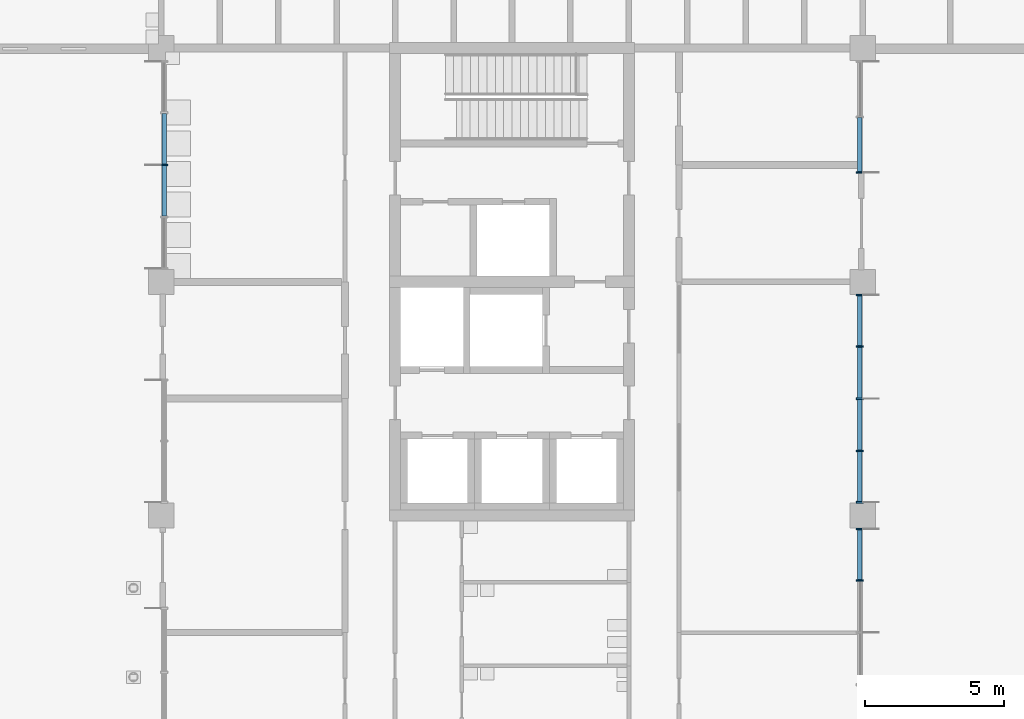
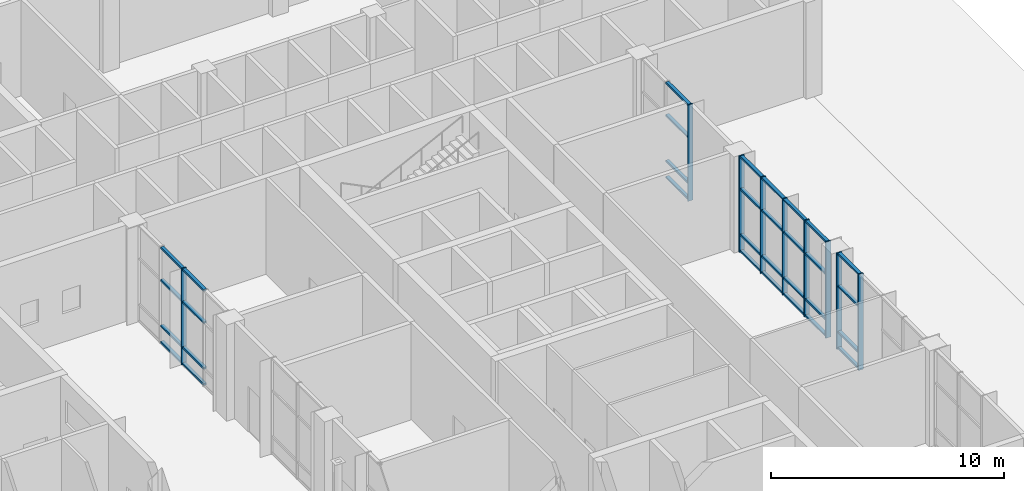
# One storey, part 20 of 76: 41 members, 4 elements without a shape of their own.
"""IFC4 building model written with IfcOpenShell, lengths in metres."""

from ifc_helpers import new_model, si_unit, direction, frame, origin, origin_2d, place, context, subcontext, project, spatial, rectangle, extrude, material, material_profile, profile_set, type_object, element, aggregate, save


model = new_model("IFC4")

# Units and contexts
model_context = context("Model", 3, precision=1e-05, world=origin(), true_north=direction((0.0, 1.0)))
body_context = subcontext(model_context, "Body", "Model", "MODEL_VIEW")
ifc_project = project(units=[si_unit("LENGTHUNIT", "METRE"), si_unit("AREAUNIT", "SQUARE_METRE"), si_unit("VOLUMEUNIT", "CUBIC_METRE"), si_unit("PLANEANGLEUNIT", "RADIAN"), si_unit("MASSUNIT", "GRAM", prefix="KILO")], contexts=[model_context])

# Site, building, storey
site_placement = place(None, origin())
site = spatial("IfcSite", under=ifc_project, at=site_placement, CompositionType="ELEMENT")
building_placement = place(site_placement, origin())
building = spatial("IfcBuilding", under=site, at=building_placement, Name="Hlaing Beacon Police Headquarters", CompositionType="ELEMENT")
storey_placement = place(building_placement, origin())
storey = spatial("IfcBuildingStorey", under=building, at=storey_placement, Name="L00", CompositionType="ELEMENT", Elevation=0.0)

# Curtain wall, members
ifc_material_1 = material(Name="Aluminium frame with solar control glazing", Category="aluminium")
curtain_wall_type_1 = type_object("IfcCurtainWallType", Name="Unitised curtain wall 7.50 x 5.05", PredefinedType="NOTDEFINED", material=ifc_material_1)
curtain_wall_1_placement = place(storey_placement, origin())
curtain_wall_1 = element("IfcCurtainWall", 1, at=curtain_wall_1_placement, inside=storey, type_object=curtain_wall_type_1, Name="ENV-CW-L00-E013", PredefinedType="NOTDEFINED")
ifc_material_2 = material(Name="Aluminium", Category="aluminium")
ifc_material_profile_1 = material_profile(ifc_material_2, rectangle(XDim=0.25, YDim=0.06005859375, at=origin_2d()), Name="Mullion 60x250")
ifc_profile_set_1 = profile_set([ifc_material_profile_1], Name="Aluminium")
member_type_1 = type_object("IfcMemberType", Name="Mullion 60x250", PredefinedType="MULLION", material=ifc_profile_set_1)
member_1_placement = place(storey_placement, frame((125.89990234375, 48.074951171875, 0.0), z_axis=(0.0, 0.0, 1.0), x_axis=(-1.0, 0.0, 0.0)))
member_1 = element("IfcMember", 2, at=member_1_placement, type_object=member_type_1, Name="CW-L00-E013 mullion 4", PredefinedType="MULLION", context=body_context, shape_type="SweptSolid", body=[
    extrude(rectangle(XDim=0.25, YDim=0.06005859375, at=origin_2d()), origin(), (0.0, 0.0, 1.0), 5.050048828125),
])
member_2_placement = place(storey_placement, frame((125.89990234375, 49.919921875, 0.0), z_axis=(0.0, 0.0, 1.0), x_axis=(-1.0, 0.0, 0.0)))
member_2 = element("IfcMember", 3, at=member_2_placement, type_object=member_type_1, Name="CW-L00-E013 mullion 5", PredefinedType="MULLION", context=body_context, shape_type="SweptSolid", body=[
    extrude(rectangle(XDim=0.25, YDim=0.06005859375, at=origin_2d()), origin(), (0.0, 0.0, 1.0), 5.050048828125),
])

curtain_wall_2_placement = place(storey_placement, origin())
curtain_wall_2 = element("IfcCurtainWall", 4, at=curtain_wall_2_placement, inside=storey, type_object=curtain_wall_type_1, Name="ENV-CW-L00-E014", PredefinedType="NOTDEFINED")
member_3_placement = place(storey_placement, frame((125.89990234375, 50.8798828125, 0.0), z_axis=(0.0, 0.0, 1.0), x_axis=(-1.0, 0.0, 0.0)))
member_3 = element("IfcMember", 5, at=member_3_placement, type_object=member_type_1, Name="CW-L00-E014 mullion 1", PredefinedType="MULLION", context=body_context, shape_type="SweptSolid", body=[
    extrude(rectangle(XDim=0.25, YDim=0.06005859375, at=origin_2d()), origin(), (0.0, 0.0, 1.0), 5.050048828125),
])
member_4_placement = place(storey_placement, frame((125.89990234375, 52.72509765625, 0.0), z_axis=(0.0, 0.0, 1.0), x_axis=(-1.0, 0.0, 0.0)))
member_4 = element("IfcMember", 6, at=member_4_placement, type_object=member_type_1, Name="CW-L00-E014 mullion 2", PredefinedType="MULLION", context=body_context, shape_type="SweptSolid", body=[
    extrude(rectangle(XDim=0.25, YDim=0.06005859375, at=origin_2d()), origin(), (0.0, 0.0, 1.0), 5.050048828125),
])
member_5_placement = place(storey_placement, frame((125.89990234375, 54.60009765625, 0.0), z_axis=(0.0, 0.0, 1.0), x_axis=(-1.0, 0.0, 0.0)))
member_5 = element("IfcMember", 7, at=member_5_placement, type_object=member_type_1, Name="CW-L00-E014 mullion 3", PredefinedType="MULLION", context=body_context, shape_type="SweptSolid", body=[
    extrude(rectangle(XDim=0.25, YDim=0.06005859375, at=origin_2d()), origin(), (0.0, 0.0, 1.0), 5.050048828125),
])
member_6_placement = place(storey_placement, frame((125.89990234375, 56.47509765625, 0.0), z_axis=(0.0, 0.0, 1.0), x_axis=(-1.0, 0.0, 0.0)))
member_6 = element("IfcMember", 8, at=member_6_placement, type_object=member_type_1, Name="CW-L00-E014 mullion 4", PredefinedType="MULLION", context=body_context, shape_type="SweptSolid", body=[
    extrude(rectangle(XDim=0.25, YDim=0.06005859375, at=origin_2d()), origin(), (0.0, 0.0, 1.0), 5.050048828125),
])
member_7_placement = place(storey_placement, frame((125.89990234375, 58.320068359375, 0.0), z_axis=(0.0, 0.0, 1.0), x_axis=(-1.0, 0.0, 0.0)))
member_7 = element("IfcMember", 9, at=member_7_placement, type_object=member_type_1, Name="CW-L00-E014 mullion 5", PredefinedType="MULLION", context=body_context, shape_type="SweptSolid", body=[
    extrude(rectangle(XDim=0.25, YDim=0.06005859375, at=origin_2d()), origin(), (0.0, 0.0, 1.0), 5.050048828125),
])

# Curtain wall, member
ifc_material_3 = material(Name="Aluminium frame with solar control glazing", Category="aluminium")
curtain_wall_type_2 = type_object("IfcCurtainWallType", Name="Unitised curtain wall 4.05 x 5.05", PredefinedType="NOTDEFINED", material=ifc_material_3)
curtain_wall_3_placement = place(storey_placement, origin())
curtain_wall_3 = element("IfcCurtainWall", 10, at=curtain_wall_3_placement, inside=storey, type_object=curtain_wall_type_2, Name="ENV-CW-L00-E015", PredefinedType="NOTDEFINED")
member_8_placement = place(storey_placement, frame((125.89990234375, 62.72998046875, 0.0), z_axis=(0.0, 0.0, 1.0), x_axis=(-1.0, 0.0, 0.0)))
member_8 = element("IfcMember", 11, at=member_8_placement, type_object=member_type_1, Name="CW-L00-E015 mullion 1", PredefinedType="MULLION", context=body_context, shape_type="SweptSolid", body=[
    extrude(rectangle(XDim=0.25, YDim=0.06005859375, at=origin_2d()), origin(), (0.0, 0.0, 1.0), 5.050048828125),
])

curtain_wall_4_placement = place(storey_placement, origin())
curtain_wall_4 = element("IfcCurtainWall", 12, at=curtain_wall_4_placement, inside=storey, type_object=curtain_wall_type_1, Name="ENV-CW-L00-W016", PredefinedType="NOTDEFINED")
member_9_placement = place(storey_placement, frame((100.89990234375, 63.0, 0.0), z_axis=(0.0, 0.0, 1.0), x_axis=(1.0, 0.0, 0.0)))
member_9 = element("IfcMember", 13, at=member_9_placement, type_object=member_type_1, Name="CW-L00-W016 mullion 3", PredefinedType="MULLION", context=body_context, shape_type="SweptSolid", body=[
    extrude(rectangle(XDim=0.25, YDim=0.06005859375, at=origin_2d()), origin(), (0.0, 0.0, 1.0), 5.050048828125),
])

# Member
ifc_material_4 = material(Name="Aluminium", Category="aluminium")
ifc_material_profile_2 = material_profile(ifc_material_4, rectangle(XDim=0.159912109375, YDim=0.10009765625, at=origin_2d()), Name="Transom 160x100")
ifc_profile_set_2 = profile_set([ifc_material_profile_2], Name="Aluminium")
member_type_2 = type_object("IfcMemberType", Name="Transom 160x100", PredefinedType="USERDEFINED", material=ifc_profile_set_2)
member_10_placement = place(storey_placement, frame((125.89990234375, 48.10498046875, 0.050048828125), z_axis=(0.0, 1.0, 0.0), x_axis=(-1.0, 0.0, 0.0)))
member_10 = element("IfcMember", 14, at=member_10_placement, type_object=member_type_2, Name="CW-L00-E013 transom 4.1", ObjectType="TRANSOM", PredefinedType="USERDEFINED", context=body_context, shape_type="SweptSolid", body=[
    extrude(rectangle(XDim=0.159912109375, YDim=0.10009765625, at=origin_2d()), origin(), (0.0, 0.0, 1.0), 1.784912109375),
])

member_11_placement = place(storey_placement, frame((125.89990234375, 48.10498046875, 0.89990234375), z_axis=(0.0, 1.0, 0.0), x_axis=(-1.0, 0.0, 0.0)))
member_11 = element("IfcMember", 15, at=member_11_placement, type_object=member_type_2, Name="CW-L00-E013 transom 4.2", ObjectType="TRANSOM", PredefinedType="USERDEFINED", context=body_context, shape_type="SweptSolid", body=[
    extrude(rectangle(XDim=0.159912109375, YDim=0.10009765625, at=origin_2d()), origin(), (0.0, 0.0, 1.0), 1.784912109375),
])

member_12_placement = place(storey_placement, frame((125.89990234375, 48.10498046875, 3.300048828125), z_axis=(0.0, 1.0, 0.0), x_axis=(-1.0, 0.0, 0.0)))
member_12 = element("IfcMember", 16, at=member_12_placement, type_object=member_type_2, Name="CW-L00-E013 transom 4.3", ObjectType="TRANSOM", PredefinedType="USERDEFINED", context=body_context, shape_type="SweptSolid", body=[
    extrude(rectangle(XDim=0.159912109375, YDim=0.10009765625, at=origin_2d()), origin(), (0.0, 0.0, 1.0), 1.784912109375),
])

member_13_placement = place(storey_placement, frame((125.89990234375, 48.10498046875, 5.0), z_axis=(0.0, 1.0, 0.0), x_axis=(-1.0, 0.0, 0.0)))
member_13 = element("IfcMember", 17, at=member_13_placement, type_object=member_type_2, Name="CW-L00-E013 transom 4.4", ObjectType="TRANSOM", PredefinedType="USERDEFINED", context=body_context, shape_type="SweptSolid", body=[
    extrude(rectangle(XDim=0.159912109375, YDim=0.10009765625, at=origin_2d()), origin(), (0.0, 0.0, 1.0), 1.784912109375),
])

aggregate(curtain_wall_1, [member_1, member_2, member_10, member_11, member_12, member_13])

member_14_placement = place(storey_placement, frame((125.89990234375, 50.909912109375, 0.050048828125), z_axis=(0.0, 1.0, 0.0), x_axis=(-1.0, 0.0, 0.0)))
member_14 = element("IfcMember", 18, at=member_14_placement, type_object=member_type_2, Name="CW-L00-E014 transom 1.1", ObjectType="TRANSOM", PredefinedType="USERDEFINED", context=body_context, shape_type="SweptSolid", body=[
    extrude(rectangle(XDim=0.159912109375, YDim=0.10009765625, at=origin_2d()), origin(), (0.0, 0.0, 1.0), 1.78515625),
])

member_15_placement = place(storey_placement, frame((125.89990234375, 50.909912109375, 0.89990234375), z_axis=(0.0, 1.0, 0.0), x_axis=(-1.0, 0.0, 0.0)))
member_15 = element("IfcMember", 19, at=member_15_placement, type_object=member_type_2, Name="CW-L00-E014 transom 1.2", ObjectType="TRANSOM", PredefinedType="USERDEFINED", context=body_context, shape_type="SweptSolid", body=[
    extrude(rectangle(XDim=0.159912109375, YDim=0.10009765625, at=origin_2d()), origin(), (0.0, 0.0, 1.0), 1.78515625),
])

member_16_placement = place(storey_placement, frame((125.89990234375, 50.909912109375, 3.300048828125), z_axis=(0.0, 1.0, 0.0), x_axis=(-1.0, 0.0, 0.0)))
member_16 = element("IfcMember", 20, at=member_16_placement, type_object=member_type_2, Name="CW-L00-E014 transom 1.3", ObjectType="TRANSOM", PredefinedType="USERDEFINED", context=body_context, shape_type="SweptSolid", body=[
    extrude(rectangle(XDim=0.159912109375, YDim=0.10009765625, at=origin_2d()), origin(), (0.0, 0.0, 1.0), 1.78515625),
])

member_17_placement = place(storey_placement, frame((125.89990234375, 50.909912109375, 5.0), z_axis=(0.0, 1.0, 0.0), x_axis=(-1.0, 0.0, 0.0)))
member_17 = element("IfcMember", 21, at=member_17_placement, type_object=member_type_2, Name="CW-L00-E014 transom 1.4", ObjectType="TRANSOM", PredefinedType="USERDEFINED", context=body_context, shape_type="SweptSolid", body=[
    extrude(rectangle(XDim=0.159912109375, YDim=0.10009765625, at=origin_2d()), origin(), (0.0, 0.0, 1.0), 1.78515625),
])

member_18_placement = place(storey_placement, frame((125.89990234375, 52.7548828125, 0.050048828125), z_axis=(0.0, 1.0, 0.0), x_axis=(-1.0, 0.0, 0.0)))
member_18 = element("IfcMember", 22, at=member_18_placement, type_object=member_type_2, Name="CW-L00-E014 transom 2.1", ObjectType="TRANSOM", PredefinedType="USERDEFINED", context=body_context, shape_type="SweptSolid", body=[
    extrude(rectangle(XDim=0.159912109375, YDim=0.10009765625, at=origin_2d()), origin(), (0.0, 0.0, 1.0), 1.815185546875),
])

member_19_placement = place(storey_placement, frame((125.89990234375, 52.7548828125, 0.89990234375), z_axis=(0.0, 1.0, 0.0), x_axis=(-1.0, 0.0, 0.0)))
member_19 = element("IfcMember", 23, at=member_19_placement, type_object=member_type_2, Name="CW-L00-E014 transom 2.2", ObjectType="TRANSOM", PredefinedType="USERDEFINED", context=body_context, shape_type="SweptSolid", body=[
    extrude(rectangle(XDim=0.159912109375, YDim=0.10009765625, at=origin_2d()), origin(), (0.0, 0.0, 1.0), 1.815185546875),
])

member_20_placement = place(storey_placement, frame((125.89990234375, 52.7548828125, 3.300048828125), z_axis=(0.0, 1.0, 0.0), x_axis=(-1.0, 0.0, 0.0)))
member_20 = element("IfcMember", 24, at=member_20_placement, type_object=member_type_2, Name="CW-L00-E014 transom 2.3", ObjectType="TRANSOM", PredefinedType="USERDEFINED", context=body_context, shape_type="SweptSolid", body=[
    extrude(rectangle(XDim=0.159912109375, YDim=0.10009765625, at=origin_2d()), origin(), (0.0, 0.0, 1.0), 1.815185546875),
])

member_21_placement = place(storey_placement, frame((125.89990234375, 52.7548828125, 5.0), z_axis=(0.0, 1.0, 0.0), x_axis=(-1.0, 0.0, 0.0)))
member_21 = element("IfcMember", 25, at=member_21_placement, type_object=member_type_2, Name="CW-L00-E014 transom 2.4", ObjectType="TRANSOM", PredefinedType="USERDEFINED", context=body_context, shape_type="SweptSolid", body=[
    extrude(rectangle(XDim=0.159912109375, YDim=0.10009765625, at=origin_2d()), origin(), (0.0, 0.0, 1.0), 1.815185546875),
])

member_22_placement = place(storey_placement, frame((125.89990234375, 54.6298828125, 0.050048828125), z_axis=(0.0, 1.0, 0.0), x_axis=(-1.0, 0.0, 0.0)))
member_22 = element("IfcMember", 26, at=member_22_placement, type_object=member_type_2, Name="CW-L00-E014 transom 3.1", ObjectType="TRANSOM", PredefinedType="USERDEFINED", context=body_context, shape_type="SweptSolid", body=[
    extrude(rectangle(XDim=0.159912109375, YDim=0.10009765625, at=origin_2d()), origin(), (0.0, 0.0, 1.0), 1.815185546875),
])

member_23_placement = place(storey_placement, frame((125.89990234375, 54.6298828125, 0.89990234375), z_axis=(0.0, 1.0, 0.0), x_axis=(-1.0, 0.0, 0.0)))
member_23 = element("IfcMember", 27, at=member_23_placement, type_object=member_type_2, Name="CW-L00-E014 transom 3.2", ObjectType="TRANSOM", PredefinedType="USERDEFINED", context=body_context, shape_type="SweptSolid", body=[
    extrude(rectangle(XDim=0.159912109375, YDim=0.10009765625, at=origin_2d()), origin(), (0.0, 0.0, 1.0), 1.815185546875),
])

member_24_placement = place(storey_placement, frame((125.89990234375, 54.6298828125, 3.300048828125), z_axis=(0.0, 1.0, 0.0), x_axis=(-1.0, 0.0, 0.0)))
member_24 = element("IfcMember", 28, at=member_24_placement, type_object=member_type_2, Name="CW-L00-E014 transom 3.3", ObjectType="TRANSOM", PredefinedType="USERDEFINED", context=body_context, shape_type="SweptSolid", body=[
    extrude(rectangle(XDim=0.159912109375, YDim=0.10009765625, at=origin_2d()), origin(), (0.0, 0.0, 1.0), 1.815185546875),
])

member_25_placement = place(storey_placement, frame((125.89990234375, 54.6298828125, 5.0), z_axis=(0.0, 1.0, 0.0), x_axis=(-1.0, 0.0, 0.0)))
member_25 = element("IfcMember", 29, at=member_25_placement, type_object=member_type_2, Name="CW-L00-E014 transom 3.4", ObjectType="TRANSOM", PredefinedType="USERDEFINED", context=body_context, shape_type="SweptSolid", body=[
    extrude(rectangle(XDim=0.159912109375, YDim=0.10009765625, at=origin_2d()), origin(), (0.0, 0.0, 1.0), 1.815185546875),
])

member_26_placement = place(storey_placement, frame((125.89990234375, 56.5048828125, 0.050048828125), z_axis=(0.0, 1.0, 0.0), x_axis=(-1.0, 0.0, 0.0)))
member_26 = element("IfcMember", 30, at=member_26_placement, type_object=member_type_2, Name="CW-L00-E014 transom 4.1", ObjectType="TRANSOM", PredefinedType="USERDEFINED", context=body_context, shape_type="SweptSolid", body=[
    extrude(rectangle(XDim=0.159912109375, YDim=0.10009765625, at=origin_2d()), origin(), (0.0, 0.0, 1.0), 1.78515625),
])

member_27_placement = place(storey_placement, frame((125.89990234375, 56.5048828125, 0.89990234375), z_axis=(0.0, 1.0, 0.0), x_axis=(-1.0, 0.0, 0.0)))
member_27 = element("IfcMember", 31, at=member_27_placement, type_object=member_type_2, Name="CW-L00-E014 transom 4.2", ObjectType="TRANSOM", PredefinedType="USERDEFINED", context=body_context, shape_type="SweptSolid", body=[
    extrude(rectangle(XDim=0.159912109375, YDim=0.10009765625, at=origin_2d()), origin(), (0.0, 0.0, 1.0), 1.78515625),
])

member_28_placement = place(storey_placement, frame((125.89990234375, 56.5048828125, 3.300048828125), z_axis=(0.0, 1.0, 0.0), x_axis=(-1.0, 0.0, 0.0)))
member_28 = element("IfcMember", 32, at=member_28_placement, type_object=member_type_2, Name="CW-L00-E014 transom 4.3", ObjectType="TRANSOM", PredefinedType="USERDEFINED", context=body_context, shape_type="SweptSolid", body=[
    extrude(rectangle(XDim=0.159912109375, YDim=0.10009765625, at=origin_2d()), origin(), (0.0, 0.0, 1.0), 1.78515625),
])

member_29_placement = place(storey_placement, frame((125.89990234375, 56.5048828125, 5.0), z_axis=(0.0, 1.0, 0.0), x_axis=(-1.0, 0.0, 0.0)))
member_29 = element("IfcMember", 33, at=member_29_placement, type_object=member_type_2, Name="CW-L00-E014 transom 4.4", ObjectType="TRANSOM", PredefinedType="USERDEFINED", context=body_context, shape_type="SweptSolid", body=[
    extrude(rectangle(XDim=0.159912109375, YDim=0.10009765625, at=origin_2d()), origin(), (0.0, 0.0, 1.0), 1.78515625),
])

aggregate(curtain_wall_2, [member_3, member_4, member_5, member_6, member_7, member_14, member_15, member_16, member_17, member_18, member_19, member_20, member_21, member_22, member_23, member_24, member_25, member_26, member_27, member_28, member_29])

member_30_placement = place(storey_placement, frame((125.89990234375, 62.760009765625, 0.050048828125), z_axis=(0.0, 1.0, 0.0), x_axis=(-1.0, 0.0, 0.0)))
member_30 = element("IfcMember", 34, at=member_30_placement, type_object=member_type_2, Name="CW-L00-E015 transom 1.1", ObjectType="TRANSOM", PredefinedType="USERDEFINED", context=body_context, shape_type="SweptSolid", body=[
    extrude(rectangle(XDim=0.159912109375, YDim=0.10009765625, at=origin_2d()), origin(), (0.0, 0.0, 1.0), 1.93505859375),
])

member_31_placement = place(storey_placement, frame((125.89990234375, 62.760009765625, 0.89990234375), z_axis=(0.0, 1.0, 0.0), x_axis=(-1.0, 0.0, 0.0)))
member_31 = element("IfcMember", 35, at=member_31_placement, type_object=member_type_2, Name="CW-L00-E015 transom 1.2", ObjectType="TRANSOM", PredefinedType="USERDEFINED", context=body_context, shape_type="SweptSolid", body=[
    extrude(rectangle(XDim=0.159912109375, YDim=0.10009765625, at=origin_2d()), origin(), (0.0, 0.0, 1.0), 1.93505859375),
])

member_32_placement = place(storey_placement, frame((125.89990234375, 62.760009765625, 3.300048828125), z_axis=(0.0, 1.0, 0.0), x_axis=(-1.0, 0.0, 0.0)))
member_32 = element("IfcMember", 36, at=member_32_placement, type_object=member_type_2, Name="CW-L00-E015 transom 1.3", ObjectType="TRANSOM", PredefinedType="USERDEFINED", context=body_context, shape_type="SweptSolid", body=[
    extrude(rectangle(XDim=0.159912109375, YDim=0.10009765625, at=origin_2d()), origin(), (0.0, 0.0, 1.0), 1.93505859375),
])

member_33_placement = place(storey_placement, frame((125.89990234375, 62.760009765625, 5.0), z_axis=(0.0, 1.0, 0.0), x_axis=(-1.0, 0.0, 0.0)))
member_33 = element("IfcMember", 37, at=member_33_placement, type_object=member_type_2, Name="CW-L00-E015 transom 1.4", ObjectType="TRANSOM", PredefinedType="USERDEFINED", context=body_context, shape_type="SweptSolid", body=[
    extrude(rectangle(XDim=0.159912109375, YDim=0.10009765625, at=origin_2d()), origin(), (0.0, 0.0, 1.0), 1.93505859375),
])

aggregate(curtain_wall_3, [member_8, member_30, member_31, member_32, member_33])

member_34_placement = place(storey_placement, frame((100.89990234375, 64.844970703125, 0.050048828125), z_axis=(0.0, -1.0, 0.0), x_axis=(1.0, 0.0, 0.0)))
member_34 = element("IfcMember", 38, at=member_34_placement, type_object=member_type_2, Name="CW-L00-W016 transom 2.1", ObjectType="TRANSOM", PredefinedType="USERDEFINED", context=body_context, shape_type="SweptSolid", body=[
    extrude(rectangle(XDim=0.159912109375, YDim=0.10009765625, at=origin_2d()), origin(), (0.0, 0.0, 1.0), 1.81494140625),
])

member_35_placement = place(storey_placement, frame((100.89990234375, 64.844970703125, 0.89990234375), z_axis=(0.0, -1.0, 0.0), x_axis=(1.0, 0.0, 0.0)))
member_35 = element("IfcMember", 39, at=member_35_placement, type_object=member_type_2, Name="CW-L00-W016 transom 2.2", ObjectType="TRANSOM", PredefinedType="USERDEFINED", context=body_context, shape_type="SweptSolid", body=[
    extrude(rectangle(XDim=0.159912109375, YDim=0.10009765625, at=origin_2d()), origin(), (0.0, 0.0, 1.0), 1.81494140625),
])

member_36_placement = place(storey_placement, frame((100.89990234375, 64.844970703125, 3.300048828125), z_axis=(0.0, -1.0, 0.0), x_axis=(1.0, 0.0, 0.0)))
member_36 = element("IfcMember", 40, at=member_36_placement, type_object=member_type_2, Name="CW-L00-W016 transom 2.3", ObjectType="TRANSOM", PredefinedType="USERDEFINED", context=body_context, shape_type="SweptSolid", body=[
    extrude(rectangle(XDim=0.159912109375, YDim=0.10009765625, at=origin_2d()), origin(), (0.0, 0.0, 1.0), 1.81494140625),
])

member_37_placement = place(storey_placement, frame((100.89990234375, 64.844970703125, 5.0), z_axis=(0.0, -1.0, 0.0), x_axis=(1.0, 0.0, 0.0)))
member_37 = element("IfcMember", 41, at=member_37_placement, type_object=member_type_2, Name="CW-L00-W016 transom 2.4", ObjectType="TRANSOM", PredefinedType="USERDEFINED", context=body_context, shape_type="SweptSolid", body=[
    extrude(rectangle(XDim=0.159912109375, YDim=0.10009765625, at=origin_2d()), origin(), (0.0, 0.0, 1.0), 1.81494140625),
])

member_38_placement = place(storey_placement, frame((100.89990234375, 62.969970703125, 0.050048828125), z_axis=(0.0, -1.0, 0.0), x_axis=(1.0, 0.0, 0.0)))
member_38 = element("IfcMember", 42, at=member_38_placement, type_object=member_type_2, Name="CW-L00-W016 transom 3.1", ObjectType="TRANSOM", PredefinedType="USERDEFINED", context=body_context, shape_type="SweptSolid", body=[
    extrude(rectangle(XDim=0.159912109375, YDim=0.10009765625, at=origin_2d()), origin(), (0.0, 0.0, 1.0), 1.81494140625),
])

member_39_placement = place(storey_placement, frame((100.89990234375, 62.969970703125, 0.89990234375), z_axis=(0.0, -1.0, 0.0), x_axis=(1.0, 0.0, 0.0)))
member_39 = element("IfcMember", 43, at=member_39_placement, type_object=member_type_2, Name="CW-L00-W016 transom 3.2", ObjectType="TRANSOM", PredefinedType="USERDEFINED", context=body_context, shape_type="SweptSolid", body=[
    extrude(rectangle(XDim=0.159912109375, YDim=0.10009765625, at=origin_2d()), origin(), (0.0, 0.0, 1.0), 1.81494140625),
])

member_40_placement = place(storey_placement, frame((100.89990234375, 62.969970703125, 3.300048828125), z_axis=(0.0, -1.0, 0.0), x_axis=(1.0, 0.0, 0.0)))
member_40 = element("IfcMember", 44, at=member_40_placement, type_object=member_type_2, Name="CW-L00-W016 transom 3.3", ObjectType="TRANSOM", PredefinedType="USERDEFINED", context=body_context, shape_type="SweptSolid", body=[
    extrude(rectangle(XDim=0.159912109375, YDim=0.10009765625, at=origin_2d()), origin(), (0.0, 0.0, 1.0), 1.81494140625),
])

member_41_placement = place(storey_placement, frame((100.89990234375, 62.969970703125, 5.0), z_axis=(0.0, -1.0, 0.0), x_axis=(1.0, 0.0, 0.0)))
member_41 = element("IfcMember", 45, at=member_41_placement, type_object=member_type_2, Name="CW-L00-W016 transom 3.4", ObjectType="TRANSOM", PredefinedType="USERDEFINED", context=body_context, shape_type="SweptSolid", body=[
    extrude(rectangle(XDim=0.159912109375, YDim=0.10009765625, at=origin_2d()), origin(), (0.0, 0.0, 1.0), 1.81494140625),
])

aggregate(curtain_wall_4, [member_9, member_34, member_35, member_36, member_37, member_38, member_39, member_40, member_41])

save(model, "model.ifc")
